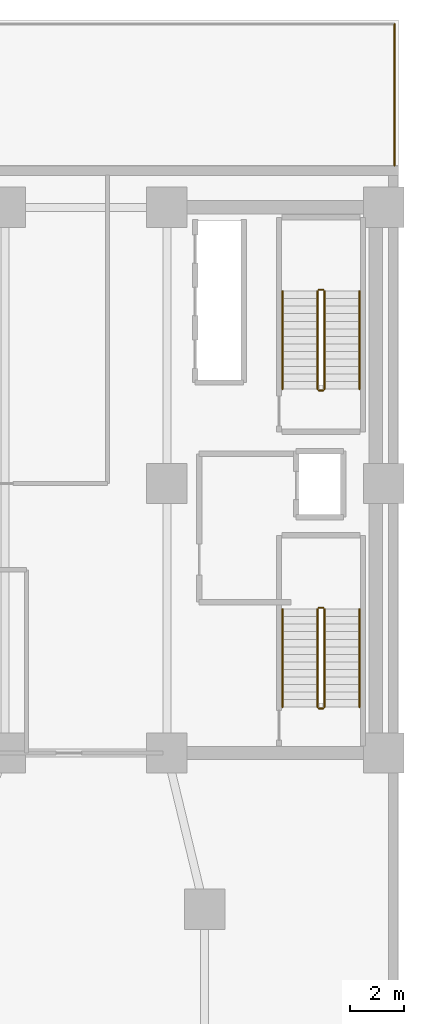
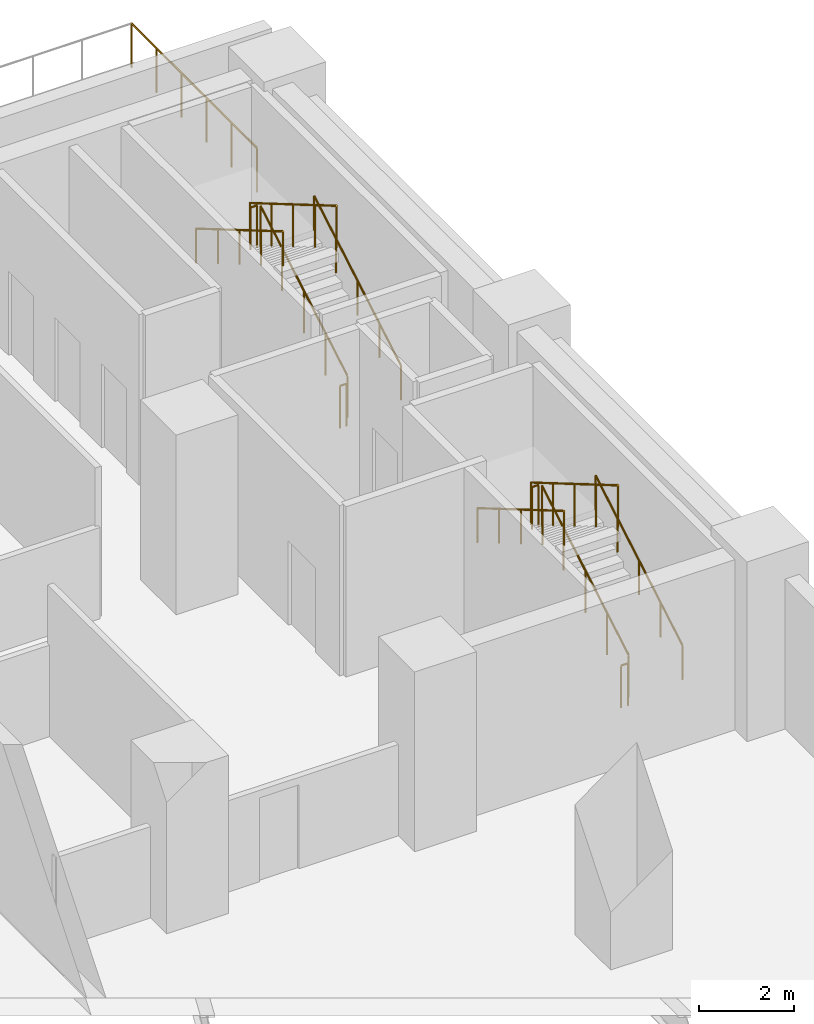
# One storey, part 9 of 9: 13 railings.
"""IFC4 building model written with IfcOpenShell, lengths in metres."""

from ifc_helpers import new_model, si_unit, direction, frame, origin, origin_2d, place, context, subcontext, project, spatial, circle, extrude, material, layer, layer_set, type_object, element, save


model = new_model("IFC4")

# Units and contexts
model_context = context("Model", 3, precision=1e-05, world=origin(), true_north=direction((0.0, 1.0)))
body_context = subcontext(model_context, "Body", "Model", "MODEL_VIEW")
ifc_project = project(units=[si_unit("LENGTHUNIT", "METRE"), si_unit("AREAUNIT", "SQUARE_METRE"), si_unit("VOLUMEUNIT", "CUBIC_METRE"), si_unit("PLANEANGLEUNIT", "RADIAN"), si_unit("MASSUNIT", "GRAM", prefix="KILO")], contexts=[model_context])

# Site, building, storey
site_placement = place(None, origin())
site = spatial("IfcSite", under=ifc_project, at=site_placement, CompositionType="ELEMENT")
building_placement = place(site_placement, origin())
building = spatial("IfcBuilding", under=site, at=building_placement, Name="Kuzgunbayir Cultural Tower", CompositionType="ELEMENT")
storey_placement = place(building_placement, frame((0.0, 0.0, 21.800048828125)))
storey = spatial("IfcBuildingStorey", under=building, at=storey_placement, Name="L05", CompositionType="ELEMENT", Elevation=21.800048828125)

# Railings
ifc_material_1 = material(Name="Laminated Glass and Stainless Steel", Category="steel")
ifc_layer_1 = layer(ifc_material_1, 0.080078125)
ifc_layer_set_1 = layer_set([ifc_layer_1], Name="Laminated Glass and Stainless Steel")
railing_type_1 = type_object("IfcRailingType", Name="RLG-BAL-115", PredefinedType="BALUSTRADE", material=ifc_layer_set_1)
railing_1_placement = place(storey_placement, frame((73.050048828125, 49.050048828125, 0.0)))
element("IfcRailing", 1, at=railing_1_placement, inside=storey, type_object=railing_type_1, Name="L05 Raised Garden North Guard Segment 3", PredefinedType="BALUSTRADE", context=body_context, shape_type="SweptSolid", body=[
    extrude(circle(Radius=0.02392578125, at=origin_2d()), frame((0.0, 0.0, 1.1259765625), z_axis=(0.0, -1.0, 0.0), x_axis=(1.0, 0.0, 0.0)), (0.0, 0.0, 1.0), 5.25),
    extrude(circle(Radius=0.02099609375, at=origin_2d()), origin(), (0.0, 0.0, 1.0), 1.101806640625),
    extrude(circle(Radius=0.02099609375, at=origin_2d()), frame((0.0, -1.050048828125, 0.0)), (0.0, 0.0, 1.0), 1.101806640625),
    extrude(circle(Radius=0.02099609375, at=origin_2d()), frame((0.0, -2.10009765625, 0.0)), (0.0, 0.0, 1.0), 1.101806640625),
    extrude(circle(Radius=0.02099609375, at=origin_2d()), frame((0.0, -3.14990234375, 0.0)), (0.0, 0.0, 1.0), 1.101806640625),
    extrude(circle(Radius=0.02099609375, at=origin_2d()), frame((0.0, -4.199951171875, 0.0)), (0.0, 0.0, 1.0), 1.101806640625),
    extrude(circle(Radius=0.02099609375, at=origin_2d()), frame((0.0, -5.25, 0.0)), (0.0, 0.0, 1.0), 1.101806640625),
])
ifc_material_2 = material(Name="Brushed Stainless Steel", Category="steel")
ifc_layer_2 = layer(ifc_material_2, 0.050048828125)
ifc_layer_set_2 = layer_set([ifc_layer_2], Name="Brushed Stainless Steel")
railing_type_2 = type_object("IfcRailingType", Name="RLG-STAIR-HANDRAIL", PredefinedType="HANDRAIL", material=ifc_layer_set_2)
railing_2_placement = place(storey_placement, frame((71.75, 23.699951171875, 0.164306640625)))
element("IfcRailing", 2, at=railing_2_placement, inside=storey, type_object=railing_type_2, Name="L05 ST-3 stair handrail 1", PredefinedType="HANDRAIL", context=body_context, shape_type="SweptSolid", body=[
    extrude(circle(Radius=0.02392578125, at=origin_2d()), frame((0.0, 0.0, 0.8759765625), z_axis=(0.0, 0.862504707072, 0.506049039401), x_axis=(-1.0, 0.0, 0.0)), (0.0, 0.0, 1.0), 4.220458984375),
    extrude(circle(Radius=0.02099609375, at=origin_2d()), origin(), (0.0, 0.0, 1.0), 0.851806640625),
    extrude(circle(Radius=0.02099609375, at=origin_2d()), frame((0.0, 0.91015625, 0.533935546875)), (0.0, 0.0, 1.0), 0.851806640625),
    extrude(circle(Radius=0.02099609375, at=origin_2d()), frame((0.0, 1.820068359375, 1.06787109375)), (0.0, 0.0, 1.0), 0.851806640625),
    extrude(circle(Radius=0.02099609375, at=origin_2d()), frame((0.0, 2.72998046875, 1.601806640625)), (0.0, 0.0, 1.0), 0.851806640625),
    extrude(circle(Radius=0.02099609375, at=origin_2d()), frame((0.0, 3.64013671875, 2.1357421875)), (0.0, 0.0, 1.0), 0.851806640625),
])
railing_3_placement = place(storey_placement, frame((68.889892578125, 27.340087890625, 2.46435546875)))
element("IfcRailing", 3, at=railing_3_placement, inside=storey, type_object=railing_type_2, Name="L05 ST-3 stair handrail 2", PredefinedType="HANDRAIL", context=body_context, shape_type="SweptSolid", body=[
    extrude(circle(Radius=0.02392578125, at=origin_2d()), frame((0.0, 0.0, 0.8759765625), z_axis=(0.0, -0.862529955373, 0.506006004), x_axis=(1.0, 0.0, 0.0)), (0.0, 0.0, 1.0), 4.22021484375),
    extrude(circle(Radius=0.02099609375, at=origin_2d()), origin(), (0.0, 0.0, 1.0), 0.851806640625),
    extrude(circle(Radius=0.02099609375, at=origin_2d()), frame((0.0, -0.91015625, 0.533935546875)), (0.0, 0.0, 1.0), 0.851806640625),
    extrude(circle(Radius=0.02099609375, at=origin_2d()), frame((0.0, -1.820068359375, 1.06787109375)), (0.0, 0.0, 1.0), 0.851806640625),
    extrude(circle(Radius=0.02099609375, at=origin_2d()), frame((0.0, -2.72998046875, 1.6015625)), (0.0, 0.0, 1.0), 0.851806640625),
    extrude(circle(Radius=0.02099609375, at=origin_2d()), frame((0.0, -3.64013671875, 2.135498046875)), (0.0, 0.0, 1.0), 0.851806640625),
])
railing_4_placement = place(storey_placement, frame((71.75, 35.5, 0.164306640625)))
element("IfcRailing", 4, at=railing_4_placement, inside=storey, type_object=railing_type_2, Name="L05 ST-4 stair handrail 1", PredefinedType="HANDRAIL", context=body_context, shape_type="SweptSolid", body=[
    extrude(circle(Radius=0.02392578125, at=origin_2d()), frame((0.0, 0.0, 0.8759765625), z_axis=(0.0, 0.862489892076, 0.506074289079), x_axis=(-1.0, 0.0, 0.0)), (0.0, 0.0, 1.0), 4.22021484375),
    extrude(circle(Radius=0.02099609375, at=origin_2d()), origin(), (0.0, 0.0, 1.0), 0.851806640625),
    extrude(circle(Radius=0.02099609375, at=origin_2d()), frame((0.0, 0.909912109375, 0.533935546875)), (0.0, 0.0, 1.0), 0.851806640625),
    extrude(circle(Radius=0.02099609375, at=origin_2d()), frame((0.0, 1.81982421875, 1.06787109375)), (0.0, 0.0, 1.0), 0.851806640625),
    extrude(circle(Radius=0.02099609375, at=origin_2d()), frame((0.0, 2.72998046875, 1.601806640625)), (0.0, 0.0, 1.0), 0.851806640625),
    extrude(circle(Radius=0.02099609375, at=origin_2d()), frame((0.0, 3.639892578125, 2.1357421875)), (0.0, 0.0, 1.0), 0.851806640625),
])
railing_5_placement = place(storey_placement, frame((68.889892578125, 39.139892578125, 2.46435546875)))
element("IfcRailing", 5, at=railing_5_placement, inside=storey, type_object=railing_type_2, Name="L05 ST-4 stair handrail 2", PredefinedType="HANDRAIL", context=body_context, shape_type="SweptSolid", body=[
    extrude(circle(Radius=0.02392578125, at=origin_2d()), frame((0.0, 0.0, 0.8759765625), z_axis=(0.0, -0.862515142463, 0.50603125301), x_axis=(1.0, 0.0, 0.0)), (0.0, 0.0, 1.0), 4.219970703125),
    extrude(circle(Radius=0.02099609375, at=origin_2d()), origin(), (0.0, 0.0, 1.0), 0.851806640625),
    extrude(circle(Radius=0.02099609375, at=origin_2d()), frame((0.0, -0.909912109375, 0.533935546875)), (0.0, 0.0, 1.0), 0.851806640625),
    extrude(circle(Radius=0.02099609375, at=origin_2d()), frame((0.0, -1.81982421875, 1.06787109375)), (0.0, 0.0, 1.0), 0.851806640625),
    extrude(circle(Radius=0.02099609375, at=origin_2d()), frame((0.0, -2.72998046875, 1.6015625)), (0.0, 0.0, 1.0), 0.851806640625),
    extrude(circle(Radius=0.02099609375, at=origin_2d()), frame((0.0, -3.639892578125, 2.135498046875)), (0.0, 0.0, 1.0), 0.851806640625),
])
ifc_material_3 = material(Name="Painted Steel Balustrade", Category="steel")
ifc_layer_3 = layer(ifc_material_3, 0.06005859375)
ifc_layer_set_3 = layer_set([ifc_layer_3], Name="Painted Steel Balustrade")
railing_type_3 = type_object("IfcRailingType", Name="RLG-WELL-GUARD", PredefinedType="GUARDRAIL", material=ifc_layer_set_3)
railing_6_placement = place(storey_placement, frame((70.449951171875, 23.699951171875, 0.164306640625)))
element("IfcRailing", 6, at=railing_6_placement, inside=storey, type_object=railing_type_3, Name="L05 ST-3 stair guard 1", PredefinedType="GUARDRAIL", context=body_context, shape_type="SweptSolid", body=[
    extrude(circle(Radius=0.02392578125, at=origin_2d()), frame((0.0, 0.0, 1.076171875), z_axis=(0.0, 0.862504707072, 0.506049039401), x_axis=(-1.0, 0.0, 0.0)), (0.0, 0.0, 1.0), 4.220458984375),
    extrude(circle(Radius=0.02099609375, at=origin_2d()), origin(), (0.0, 0.0, 1.0), 1.052001953125),
    extrude(circle(Radius=0.02099609375, at=origin_2d()), frame((0.0, 0.91015625, 0.533935546875)), (0.0, 0.0, 1.0), 1.052001953125),
    extrude(circle(Radius=0.02099609375, at=origin_2d()), frame((0.0, 1.820068359375, 1.06787109375)), (0.0, 0.0, 1.0), 1.052001953125),
    extrude(circle(Radius=0.02099609375, at=origin_2d()), frame((0.0, 2.72998046875, 1.601806640625)), (0.0, 0.0, 1.0), 1.052001953125),
    extrude(circle(Radius=0.02099609375, at=origin_2d()), frame((0.0, 3.64013671875, 2.1357421875)), (0.0, 0.0, 1.0), 1.052001953125),
])
railing_7_placement = place(storey_placement, frame((70.39990234375, 27.389892578125, 2.300048828125)))
element("IfcRailing", 7, at=railing_7_placement, inside=storey, type_object=railing_type_3, Name="L05 ST-3 stair guard 2", PredefinedType="GUARDRAIL", context=body_context, shape_type="SweptSolid", body=[
    extrude(circle(Radius=0.02392578125, at=origin_2d()), frame((0.0, 0.0, 1.076171875), z_axis=(-1.0, 0.0, 0.0), x_axis=(0.0, -1.0, 0.0)), (0.0, 0.0, 1.0), 0.159912109375),
    extrude(circle(Radius=0.02099609375, at=origin_2d()), origin(), (0.0, 0.0, 1.0), 1.052001953125),
    extrude(circle(Radius=0.02099609375, at=origin_2d()), frame((-0.159912109375, 0.0, 0.0)), (0.0, 0.0, 1.0), 1.052001953125),
])
railing_8_placement = place(storey_placement, frame((70.18994140625, 27.340087890625, 2.46435546875)))
element("IfcRailing", 8, at=railing_8_placement, inside=storey, type_object=railing_type_3, Name="L05 ST-3 stair guard 3", PredefinedType="GUARDRAIL", context=body_context, shape_type="SweptSolid", body=[
    extrude(circle(Radius=0.02392578125, at=origin_2d()), frame((0.0, 0.0, 1.076171875), z_axis=(0.0, -0.862529955373, 0.506006004), x_axis=(1.0, 0.0, 0.0)), (0.0, 0.0, 1.0), 4.22021484375),
    extrude(circle(Radius=0.02099609375, at=origin_2d()), origin(), (0.0, 0.0, 1.0), 1.052001953125),
    extrude(circle(Radius=0.02099609375, at=origin_2d()), frame((0.0, -0.91015625, 0.533935546875)), (0.0, 0.0, 1.0), 1.052001953125),
    extrude(circle(Radius=0.02099609375, at=origin_2d()), frame((0.0, -1.820068359375, 1.06787109375)), (0.0, 0.0, 1.0), 1.052001953125),
    extrude(circle(Radius=0.02099609375, at=origin_2d()), frame((0.0, -2.72998046875, 1.6015625)), (0.0, 0.0, 1.0), 1.052001953125),
    extrude(circle(Radius=0.02099609375, at=origin_2d()), frame((0.0, -3.64013671875, 2.135498046875)), (0.0, 0.0, 1.0), 1.052001953125),
])
railing_9_placement = place(storey_placement, frame((70.39990234375, 23.64990234375, 0.0)))
element("IfcRailing", 9, at=railing_9_placement, inside=storey, type_object=railing_type_3, Name="L05 ST-3 stair guard 4", PredefinedType="GUARDRAIL", context=body_context, shape_type="SweptSolid", body=[
    extrude(circle(Radius=0.02392578125, at=origin_2d()), frame((0.0, 0.0, 1.076171875), z_axis=(-1.0, 0.0, 0.0), x_axis=(0.0, -1.0, 0.0)), (0.0, 0.0, 1.0), 0.159912109375),
    extrude(circle(Radius=0.02099609375, at=origin_2d()), origin(), (0.0, 0.0, 1.0), 1.052001953125),
    extrude(circle(Radius=0.02099609375, at=origin_2d()), frame((-0.159912109375, 0.0, 0.0)), (0.0, 0.0, 1.0), 1.052001953125),
])
railing_10_placement = place(storey_placement, frame((70.449951171875, 35.5, 0.164306640625)))
element("IfcRailing", 10, at=railing_10_placement, inside=storey, type_object=railing_type_3, Name="L05 ST-4 stair guard 1", PredefinedType="GUARDRAIL", context=body_context, shape_type="SweptSolid", body=[
    extrude(circle(Radius=0.02392578125, at=origin_2d()), frame((0.0, 0.0, 1.076171875), z_axis=(0.0, 0.862489892076, 0.506074289079), x_axis=(-1.0, 0.0, 0.0)), (0.0, 0.0, 1.0), 4.22021484375),
    extrude(circle(Radius=0.02099609375, at=origin_2d()), origin(), (0.0, 0.0, 1.0), 1.052001953125),
    extrude(circle(Radius=0.02099609375, at=origin_2d()), frame((0.0, 0.909912109375, 0.533935546875)), (0.0, 0.0, 1.0), 1.052001953125),
    extrude(circle(Radius=0.02099609375, at=origin_2d()), frame((0.0, 1.81982421875, 1.06787109375)), (0.0, 0.0, 1.0), 1.052001953125),
    extrude(circle(Radius=0.02099609375, at=origin_2d()), frame((0.0, 2.72998046875, 1.601806640625)), (0.0, 0.0, 1.0), 1.052001953125),
    extrude(circle(Radius=0.02099609375, at=origin_2d()), frame((0.0, 3.639892578125, 2.1357421875)), (0.0, 0.0, 1.0), 1.052001953125),
])
railing_11_placement = place(storey_placement, frame((70.39990234375, 39.18994140625, 2.300048828125)))
element("IfcRailing", 11, at=railing_11_placement, inside=storey, type_object=railing_type_3, Name="L05 ST-4 stair guard 2", PredefinedType="GUARDRAIL", context=body_context, shape_type="SweptSolid", body=[
    extrude(circle(Radius=0.02392578125, at=origin_2d()), frame((0.0, 0.0, 1.076171875), z_axis=(-1.0, 0.0, 0.0), x_axis=(0.0, -1.0, 0.0)), (0.0, 0.0, 1.0), 0.159912109375),
    extrude(circle(Radius=0.02099609375, at=origin_2d()), origin(), (0.0, 0.0, 1.0), 1.052001953125),
    extrude(circle(Radius=0.02099609375, at=origin_2d()), frame((-0.159912109375, 0.0, 0.0)), (0.0, 0.0, 1.0), 1.052001953125),
])
railing_12_placement = place(storey_placement, frame((70.18994140625, 39.139892578125, 2.46435546875)))
element("IfcRailing", 12, at=railing_12_placement, inside=storey, type_object=railing_type_3, Name="L05 ST-4 stair guard 3", PredefinedType="GUARDRAIL", context=body_context, shape_type="SweptSolid", body=[
    extrude(circle(Radius=0.02392578125, at=origin_2d()), frame((0.0, 0.0, 1.076171875), z_axis=(0.0, -0.862515142463, 0.50603125301), x_axis=(1.0, 0.0, 0.0)), (0.0, 0.0, 1.0), 4.219970703125),
    extrude(circle(Radius=0.02099609375, at=origin_2d()), origin(), (0.0, 0.0, 1.0), 1.052001953125),
    extrude(circle(Radius=0.02099609375, at=origin_2d()), frame((0.0, -0.909912109375, 0.533935546875)), (0.0, 0.0, 1.0), 1.052001953125),
    extrude(circle(Radius=0.02099609375, at=origin_2d()), frame((0.0, -1.81982421875, 1.06787109375)), (0.0, 0.0, 1.0), 1.052001953125),
    extrude(circle(Radius=0.02099609375, at=origin_2d()), frame((0.0, -2.72998046875, 1.6015625)), (0.0, 0.0, 1.0), 1.052001953125),
    extrude(circle(Radius=0.02099609375, at=origin_2d()), frame((0.0, -3.639892578125, 2.135498046875)), (0.0, 0.0, 1.0), 1.052001953125),
])
railing_13_placement = place(storey_placement, frame((70.39990234375, 35.449951171875, 0.0)))
element("IfcRailing", 13, at=railing_13_placement, inside=storey, type_object=railing_type_3, Name="L05 ST-4 stair guard 4", PredefinedType="GUARDRAIL", context=body_context, shape_type="SweptSolid", body=[
    extrude(circle(Radius=0.02392578125, at=origin_2d()), frame((0.0, 0.0, 1.076171875), z_axis=(-1.0, 0.0, 0.0), x_axis=(0.0, -1.0, 0.0)), (0.0, 0.0, 1.0), 0.159912109375),
    extrude(circle(Radius=0.02099609375, at=origin_2d()), origin(), (0.0, 0.0, 1.0), 1.052001953125),
    extrude(circle(Radius=0.02099609375, at=origin_2d()), frame((-0.159912109375, 0.0, 0.0)), (0.0, 0.0, 1.0), 1.052001953125),
])

save(model, "model.ifc")
